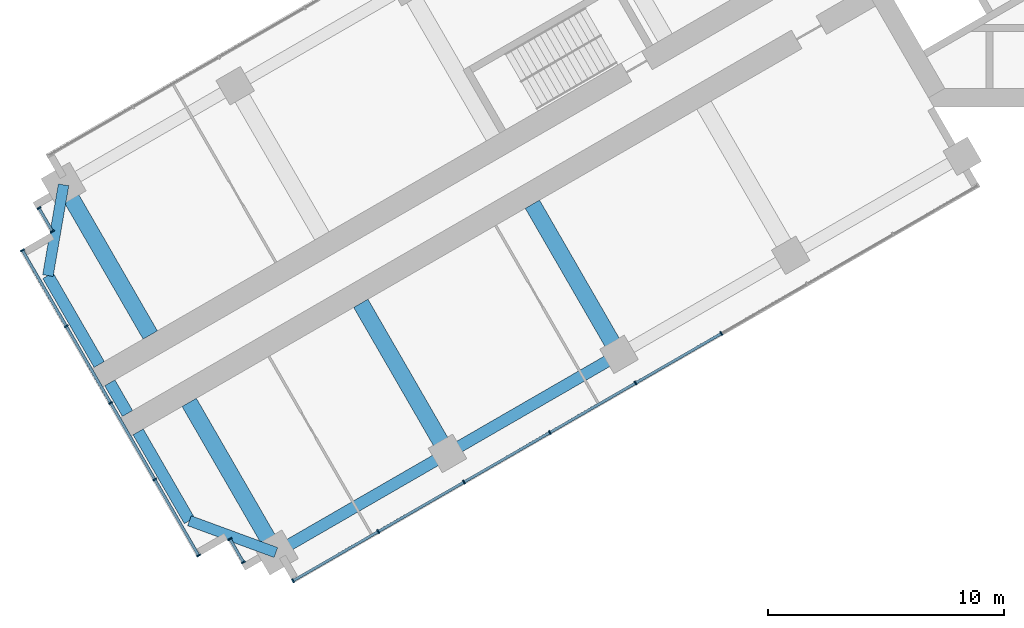
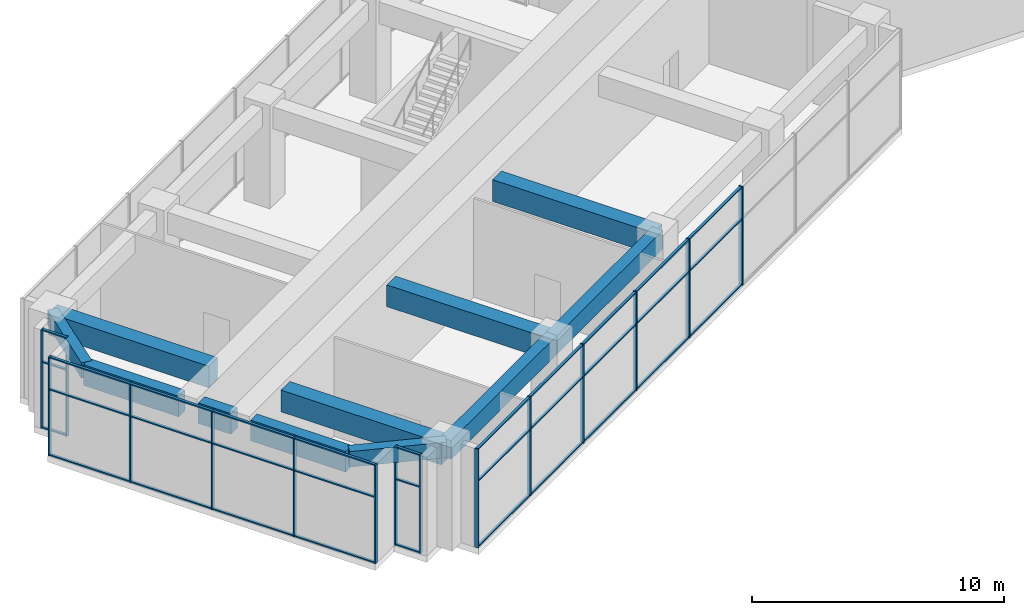
# One storey, part 2 of 20: 48 members, 11 beams, 4 elements without a shape of their own.
"""IFC4 building model written with IfcOpenShell, lengths in metres."""

from ifc_helpers import new_model, si_unit, direction, frame, origin, origin_2d, place, context, subcontext, project, spatial, rectangle, extrude, material, material_profile, profile_set, type_object, element, aggregate, save


model = new_model("IFC4")

# Units and contexts
model_context = context("Model", 3, precision=1e-05, world=origin(), true_north=direction((0.0, 1.0)))
body_context = subcontext(model_context, "Body", "Model", "MODEL_VIEW")
ifc_project = project(units=[si_unit("LENGTHUNIT", "METRE"), si_unit("AREAUNIT", "SQUARE_METRE"), si_unit("VOLUMEUNIT", "CUBIC_METRE"), si_unit("PLANEANGLEUNIT", "RADIAN"), si_unit("MASSUNIT", "GRAM", prefix="KILO")], contexts=[model_context])

# Site, building, storey
site_placement = place(None, origin())
site = spatial("IfcSite", under=ifc_project, at=site_placement, CompositionType="ELEMENT")
building_placement = place(site_placement, origin())
building = spatial("IfcBuilding", under=site, at=building_placement, Name="Impinga Residences", CompositionType="ELEMENT")
storey_placement = place(building_placement, frame((0.0, 0.0, 101.0)))
storey = spatial("IfcBuildingStorey", under=building, at=storey_placement, Name="L24", CompositionType="ELEMENT", Elevation=101.0)

# Beams
ifc_material_1 = material(Name="Concrete C60/75", Category="concrete")
ifc_material_profile_1 = material_profile(ifc_material_1, rectangle(XDim=0.449951171875, YDim=0.75, at=origin_2d()), Name="RC 450x750")
ifc_profile_set_1 = profile_set([ifc_material_profile_1], Name="Concrete C60/75")
beam_type_1 = type_object("IfcBeamType", Name="CB1 450x750 wing end cantilever beam", PredefinedType="BEAM", material=ifc_profile_set_1)
beam_1_placement = place(storey_placement, frame((-34.49853515625, -30.31005859375, 4.405029296875), z_axis=(-0.938520178725, 0.345224382289, 0.0), x_axis=(-0.345224382289, -0.938520178725, 0.0)))
element("IfcBeam", 1, at=beam_1_placement, inside=storey, type_object=beam_type_1, Name="Beam CB1 WB W5-WX level L25", PredefinedType="BEAM", context=body_context, shape_type="SweptSolid", body=[
    extrude(rectangle(XDim=0.449951171875, YDim=0.75, at=origin_2d()), origin(), (0.0, 0.0, 1.0), 3.905029296875),
])
beam_2_placement = place(storey_placement, frame((-43.49853515625, -14.721435546875, 4.405029296875), z_axis=(-0.170296298948, -0.985392901621, 0.0), x_axis=(0.985392901621, -0.170296298948, 0.0)))
element("IfcBeam", 2, at=beam_2_placement, inside=storey, type_object=beam_type_1, Name="Beam CB1 WE W5-WX level L25", PredefinedType="BEAM", context=body_context, shape_type="SweptSolid", body=[
    extrude(rectangle(XDim=0.449951171875, YDim=0.75, at=origin_2d()), origin(), (0.0, 0.0, 1.0), 3.9052734375),
])
ifc_material_profile_2 = material_profile(ifc_material_1, rectangle(XDim=0.699951171875, YDim=1.050048828125, at=origin_2d()), Name="RC 700x1050")
ifc_profile_set_2 = profile_set([ifc_material_profile_2], Name="Concrete C60/75")
beam_type_2 = type_object("IfcBeamType", Name="CG1 700x1050 cross girder on a wing bay line", PredefinedType="BEAM", material=ifc_profile_set_2)
for number, where, z_axis, x_axis, name in (
    (3, (-23.624267578125, -15.544677734375, 4.2548828125), (0.500008066151, -0.86602074674, 0.0), (0.86602074674, 0.500008066151, 0.0), "Beam CG1 W3 WC/WA level L25"),
    (4, (-30.89892578125, -19.74462890625, 4.2548828125), (0.499993683172, -0.866029050776, 0.0), (0.866029050776, 0.499993683172, 0.0), "Beam CG1 W4 WC/WA level L25"),
):
    element("IfcBeam", number, at=place(storey_placement, frame(where, z_axis=z_axis, x_axis=x_axis)), inside=storey, type_object=beam_type_2, Name=name, PredefinedType="BEAM", context=body_context, shape_type="SweptSolid", body=[
        extrude(rectangle(XDim=0.699951171875, YDim=1.050048828125, at=origin_2d()), origin(), (0.0, 0.0, 1.0), 7.35009765625),
    ])
beam_3_placement = place(storey_placement, frame((-38.17333984375, -23.94482421875, 4.2548828125), z_axis=(0.499983153418, -0.866035129944, 0.0), x_axis=(0.866035129944, 0.499983153418, 0.0)))
element("IfcBeam", 5, at=beam_3_placement, inside=storey, type_object=beam_type_2, Name="Beam CG1 W5 WC/WA level L25", PredefinedType="BEAM", context=body_context, shape_type="SweptSolid", body=[
    extrude(rectangle(XDim=0.699951171875, YDim=1.050048828125, at=origin_2d()), origin(), (0.0, 0.0, 1.0), 7.349853515625),
])
beam_4_placement = place(storey_placement, frame((-39.823486328125, -21.0869140625, 4.2548828125), z_axis=(-0.499993683172, 0.866029050776, 0.0), x_axis=(-0.866029050776, -0.499993683172, 0.0)))
element("IfcBeam", 6, at=beam_4_placement, inside=storey, type_object=beam_type_2, Name="Beam CG1 W5 WC/WF level L25", PredefinedType="BEAM", context=body_context, shape_type="SweptSolid", body=[
    extrude(rectangle(XDim=0.699951171875, YDim=1.050048828125, at=origin_2d()), origin(), (0.0, 0.0, 1.0), 7.35009765625),
])

# Curtain wall, members
ifc_material_2 = material(Name="Aluminium stick curtain wall", Category="aluminium")
curtain_wall_type = type_object("IfcCurtainWallType", Name="CW2 sky amenity curtain wall", PredefinedType="USERDEFINED", material=ifc_material_2)
curtain_wall_1_placement = place(storey_placement, origin())
curtain_wall_1 = element("IfcCurtainWall", 7, at=curtain_wall_1_placement, inside=storey, type_object=curtain_wall_type, Name="Curtain wall CW2 L24", ObjectType="STICK CURTAIN WALL", PredefinedType="USERDEFINED")
ifc_material_3 = material(Name="Aluminium mullion", Category="aluminium")
ifc_material_profile_3 = material_profile(ifc_material_3, rectangle(XDim=0.06005859375, YDim=0.179931640625, at=origin_2d()), Name="60x180 mullion")
ifc_profile_set_3 = profile_set([ifc_material_profile_3], Name="Aluminium mullion")
member_type_1 = type_object("IfcMemberType", Name="CW2-M mullion 60x180", PredefinedType="MULLION", material=ifc_profile_set_3)
member_1_placement = place(storey_placement, frame((-35.8759765625, -30.72412109375, 0.0), z_axis=(0.0, 0.0, 1.0), x_axis=(-0.499999813995, 0.866025511175, 0.0)))
member_1 = element("IfcMember", 8, at=member_1_placement, type_object=member_type_1, Name="CW2 mullion 1", PredefinedType="MULLION", context=body_context, shape_type="SweptSolid", body=[
    extrude(rectangle(XDim=0.06005859375, YDim=0.179931640625, at=origin_2d()), origin(), (0.0, 0.0, 1.0), 4.780029296875),
])
member_2_placement = place(storey_placement, frame((-36.44580078125, -29.737060546875, 0.0), z_axis=(0.0, 0.0, 1.0), x_axis=(-0.499999813995, 0.866025511175, 0.0)))
member_2 = element("IfcMember", 9, at=member_2_placement, type_object=member_type_1, Name="CW2 mullion 2", PredefinedType="MULLION", context=body_context, shape_type="SweptSolid", body=[
    extrude(rectangle(XDim=0.06005859375, YDim=0.179931640625, at=origin_2d()), origin(), (0.0, 0.0, 1.0), 4.780029296875),
])

curtain_wall_2_placement = place(storey_placement, origin())
curtain_wall_2 = element("IfcCurtainWall", 10, at=curtain_wall_2_placement, inside=storey, type_object=curtain_wall_type, Name="Curtain wall CW2 L24", ObjectType="STICK CURTAIN WALL", PredefinedType="USERDEFINED")
member_3_placement = place(storey_placement, frame((-37.77490234375, -30.43505859375, 0.0), z_axis=(0.0, 0.0, 1.0), x_axis=(-0.500000001632, 0.866025402842, 0.0)))
member_3 = element("IfcMember", 11, at=member_3_placement, type_object=member_type_1, Name="CW2 mullion 1", PredefinedType="MULLION", context=body_context, shape_type="SweptSolid", body=[
    extrude(rectangle(XDim=0.06005859375, YDim=0.179931640625, at=origin_2d()), origin(), (0.0, 0.0, 1.0), 4.780029296875),
])
member_4_placement = place(storey_placement, frame((-39.635009765625, -27.21337890625, 0.0), z_axis=(0.0, 0.0, 1.0), x_axis=(-0.500000001632, 0.866025402842, 0.0)))
member_4 = element("IfcMember", 12, at=member_4_placement, type_object=member_type_1, Name="CW2 mullion 2", PredefinedType="MULLION", context=body_context, shape_type="SweptSolid", body=[
    extrude(rectangle(XDim=0.06005859375, YDim=0.179931640625, at=origin_2d()), origin(), (0.0, 0.0, 1.0), 4.780029296875),
])
member_5_placement = place(storey_placement, frame((-41.510009765625, -23.9658203125, 0.0), z_axis=(0.0, 0.0, 1.0), x_axis=(-0.500000001632, 0.866025402842, 0.0)))
member_5 = element("IfcMember", 13, at=member_5_placement, type_object=member_type_1, Name="CW2 mullion 3", PredefinedType="MULLION", context=body_context, shape_type="SweptSolid", body=[
    extrude(rectangle(XDim=0.06005859375, YDim=0.179931640625, at=origin_2d()), origin(), (0.0, 0.0, 1.0), 4.780029296875),
])
member_6_placement = place(storey_placement, frame((-43.385009765625, -20.71826171875, 0.0), z_axis=(0.0, 0.0, 1.0), x_axis=(-0.500000001632, 0.866025402842, 0.0)))
member_6 = element("IfcMember", 14, at=member_6_placement, type_object=member_type_1, Name="CW2 mullion 4", PredefinedType="MULLION", context=body_context, shape_type="SweptSolid", body=[
    extrude(rectangle(XDim=0.06005859375, YDim=0.179931640625, at=origin_2d()), origin(), (0.0, 0.0, 1.0), 4.780029296875),
])
member_7_placement = place(storey_placement, frame((-45.244873046875, -17.49658203125, 0.0), z_axis=(0.0, 0.0, 1.0), x_axis=(-0.500000001632, 0.866025402842, 0.0)))
member_7 = element("IfcMember", 15, at=member_7_placement, type_object=member_type_1, Name="CW2 mullion 5", PredefinedType="MULLION", context=body_context, shape_type="SweptSolid", body=[
    extrude(rectangle(XDim=0.06005859375, YDim=0.179931640625, at=origin_2d()), origin(), (0.0, 0.0, 1.0), 4.780029296875),
])

curtain_wall_3_placement = place(storey_placement, origin())
curtain_wall_3 = element("IfcCurtainWall", 16, at=curtain_wall_3_placement, inside=storey, type_object=curtain_wall_type, Name="Curtain wall CW2 L24", ObjectType="STICK CURTAIN WALL", PredefinedType="USERDEFINED")
member_8_placement = place(storey_placement, frame((-43.975830078125, -16.694580078125, 0.0), z_axis=(0.0, 0.0, 1.0), x_axis=(-0.50000017485, 0.866025302835, 0.0)))
member_8 = element("IfcMember", 17, at=member_8_placement, type_object=member_type_1, Name="CW2 mullion 1", PredefinedType="MULLION", context=body_context, shape_type="SweptSolid", body=[
    extrude(rectangle(XDim=0.06005859375, YDim=0.179931640625, at=origin_2d()), origin(), (0.0, 0.0, 1.0), 4.780029296875),
])
member_9_placement = place(storey_placement, frame((-44.5458984375, -15.707275390625, 0.0), z_axis=(0.0, 0.0, 1.0), x_axis=(-0.50000017485, 0.866025302835, 0.0)))
member_9 = element("IfcMember", 18, at=member_9_placement, type_object=member_type_1, Name="CW2 mullion 2", PredefinedType="MULLION", context=body_context, shape_type="SweptSolid", body=[
    extrude(rectangle(XDim=0.06005859375, YDim=0.179931640625, at=origin_2d()), origin(), (0.0, 0.0, 1.0), 4.780029296875),
])

curtain_wall_4_placement = place(storey_placement, origin())
curtain_wall_4 = element("IfcCurtainWall", 19, at=curtain_wall_4_placement, inside=storey, type_object=curtain_wall_type, Name="Curtain wall CW2 L24", ObjectType="STICK CURTAIN WALL", PredefinedType="USERDEFINED")
member_10_placement = place(storey_placement, frame((-15.61181640625, -21.0224609375, 0.0), z_axis=(0.0, 0.0, 1.0), x_axis=(-0.866025407005, -0.499999994423, 0.0)))
member_10 = element("IfcMember", 20, at=member_10_placement, type_object=member_type_1, Name="CW2 mullion 4", PredefinedType="MULLION", context=body_context, shape_type="SweptSolid", body=[
    extrude(rectangle(XDim=0.06005859375, YDim=0.179931640625, at=origin_2d()), origin(), (0.0, 0.0, 1.0), 4.780029296875),
])
member_11_placement = place(storey_placement, frame((-19.249267578125, -23.122314453125, 0.0), z_axis=(0.0, 0.0, 1.0), x_axis=(-0.866025407005, -0.499999994423, 0.0)))
member_11 = element("IfcMember", 21, at=member_11_placement, type_object=member_type_1, Name="CW2 mullion 5", PredefinedType="MULLION", context=body_context, shape_type="SweptSolid", body=[
    extrude(rectangle(XDim=0.06005859375, YDim=0.179931640625, at=origin_2d()), origin(), (0.0, 0.0, 1.0), 4.780029296875),
])
member_12_placement = place(storey_placement, frame((-22.886474609375, -25.222412109375, 0.0), z_axis=(0.0, 0.0, 1.0), x_axis=(-0.866025407005, -0.499999994423, 0.0)))
member_12 = element("IfcMember", 22, at=member_12_placement, type_object=member_type_1, Name="CW2 mullion 6", PredefinedType="MULLION", context=body_context, shape_type="SweptSolid", body=[
    extrude(rectangle(XDim=0.06005859375, YDim=0.179931640625, at=origin_2d()), origin(), (0.0, 0.0, 1.0), 4.780029296875),
])
member_13_placement = place(storey_placement, frame((-26.52392578125, -27.322509765625, 0.0), z_axis=(0.0, 0.0, 1.0), x_axis=(-0.866025407005, -0.499999994423, 0.0)))
member_13 = element("IfcMember", 23, at=member_13_placement, type_object=member_type_1, Name="CW2 mullion 7", PredefinedType="MULLION", context=body_context, shape_type="SweptSolid", body=[
    extrude(rectangle(XDim=0.06005859375, YDim=0.179931640625, at=origin_2d()), origin(), (0.0, 0.0, 1.0), 4.780029296875),
])
member_14_placement = place(storey_placement, frame((-30.1611328125, -29.42236328125, 0.0), z_axis=(0.0, 0.0, 1.0), x_axis=(-0.866025407005, -0.499999994423, 0.0)))
member_14 = element("IfcMember", 24, at=member_14_placement, type_object=member_type_1, Name="CW2 mullion 8", PredefinedType="MULLION", context=body_context, shape_type="SweptSolid", body=[
    extrude(rectangle(XDim=0.06005859375, YDim=0.179931640625, at=origin_2d()), origin(), (0.0, 0.0, 1.0), 4.780029296875),
])
member_15_placement = place(storey_placement, frame((-33.7724609375, -31.50732421875, 0.0), z_axis=(0.0, 0.0, 1.0), x_axis=(-0.866025407005, -0.499999994423, 0.0)))
member_15 = element("IfcMember", 25, at=member_15_placement, type_object=member_type_1, Name="CW2 mullion 9", PredefinedType="MULLION", context=body_context, shape_type="SweptSolid", body=[
    extrude(rectangle(XDim=0.06005859375, YDim=0.179931640625, at=origin_2d()), origin(), (0.0, 0.0, 1.0), 4.780029296875),
])

# Member
ifc_material_4 = material(Name="Aluminium transom", Category="aluminium")
ifc_material_profile_4 = material_profile(ifc_material_4, rectangle(XDim=0.06005859375, YDim=0.1201171875, at=origin_2d()), Name="60x120 transom")
ifc_profile_set_4 = profile_set([ifc_material_profile_4], Name="Aluminium transom")
member_type_2 = type_object("IfcMemberType", Name="CW2-T transom 60x120", PredefinedType="USERDEFINED", material=ifc_profile_set_4)
member_16_placement = place(storey_placement, frame((-35.890869140625, -30.6982421875, 0.030029296875), z_axis=(-0.500029011134, 0.866008653551, 0.0), x_axis=(0.0, 0.0, 1.0)))
member_16 = element("IfcMember", 26, at=member_16_placement, type_object=member_type_2, Name="CW2 transom 1.1", ObjectType="TRANSOM", PredefinedType="USERDEFINED", context=body_context, shape_type="SweptSolid", body=[
    extrude(rectangle(XDim=0.06005859375, YDim=0.1201171875, at=origin_2d()), origin(), (0.0, 0.0, 1.0), 1.080078125),
])

member_17_placement = place(storey_placement, frame((-35.890869140625, -30.6982421875, 3.199951171875), z_axis=(-0.500029011134, 0.866008653551, 0.0), x_axis=(0.0, 0.0, 1.0)))
member_17 = element("IfcMember", 27, at=member_17_placement, type_object=member_type_2, Name="CW2 transom 1.2", ObjectType="TRANSOM", PredefinedType="USERDEFINED", context=body_context, shape_type="SweptSolid", body=[
    extrude(rectangle(XDim=0.06005859375, YDim=0.1201171875, at=origin_2d()), origin(), (0.0, 0.0, 1.0), 1.080078125),
])

member_18_placement = place(storey_placement, frame((-35.890869140625, -30.6982421875, 4.75), z_axis=(-0.500029011134, 0.866008653551, 0.0), x_axis=(0.0, 0.0, 1.0)))
member_18 = element("IfcMember", 28, at=member_18_placement, type_object=member_type_2, Name="CW2 transom 1.3", ObjectType="TRANSOM", PredefinedType="USERDEFINED", context=body_context, shape_type="SweptSolid", body=[
    extrude(rectangle(XDim=0.06005859375, YDim=0.1201171875, at=origin_2d()), origin(), (0.0, 0.0, 1.0), 1.080078125),
])

aggregate(curtain_wall_1, [member_1, member_2, member_16, member_17, member_18])

member_19_placement = place(storey_placement, frame((-37.7900390625, -30.408935546875, 0.030029296875), z_axis=(-0.499963050397, 0.866046735597, 0.0), x_axis=(0.0, 0.0, 1.0)))
member_19 = element("IfcMember", 29, at=member_19_placement, type_object=member_type_2, Name="CW2 transom 1.1", ObjectType="TRANSOM", PredefinedType="USERDEFINED", context=body_context, shape_type="SweptSolid", body=[
    extrude(rectangle(XDim=0.06005859375, YDim=0.1201171875, at=origin_2d()), origin(), (0.0, 0.0, 1.0), 3.659912109375),
])

member_20_placement = place(storey_placement, frame((-37.7900390625, -30.408935546875, 3.199951171875), z_axis=(-0.499963050397, 0.866046735597, 0.0), x_axis=(0.0, 0.0, 1.0)))
member_20 = element("IfcMember", 30, at=member_20_placement, type_object=member_type_2, Name="CW2 transom 1.2", ObjectType="TRANSOM", PredefinedType="USERDEFINED", context=body_context, shape_type="SweptSolid", body=[
    extrude(rectangle(XDim=0.06005859375, YDim=0.1201171875, at=origin_2d()), origin(), (0.0, 0.0, 1.0), 3.659912109375),
])

member_21_placement = place(storey_placement, frame((-37.7900390625, -30.408935546875, 4.75), z_axis=(-0.499963050397, 0.866046735597, 0.0), x_axis=(0.0, 0.0, 1.0)))
member_21 = element("IfcMember", 31, at=member_21_placement, type_object=member_type_2, Name="CW2 transom 1.3", ObjectType="TRANSOM", PredefinedType="USERDEFINED", context=body_context, shape_type="SweptSolid", body=[
    extrude(rectangle(XDim=0.06005859375, YDim=0.1201171875, at=origin_2d()), origin(), (0.0, 0.0, 1.0), 3.659912109375),
])

member_22_placement = place(storey_placement, frame((-39.64990234375, -27.1875, 0.030029296875), z_axis=(-0.499974444137, 0.866040157966, 0.0), x_axis=(0.0, 0.0, 1.0)))
member_22 = element("IfcMember", 32, at=member_22_placement, type_object=member_type_2, Name="CW2 transom 2.1", ObjectType="TRANSOM", PredefinedType="USERDEFINED", context=body_context, shape_type="SweptSolid", body=[
    extrude(rectangle(XDim=0.06005859375, YDim=0.1201171875, at=origin_2d()), origin(), (0.0, 0.0, 1.0), 3.690185546875),
])

member_23_placement = place(storey_placement, frame((-39.64990234375, -27.1875, 3.199951171875), z_axis=(-0.499974444137, 0.866040157966, 0.0), x_axis=(0.0, 0.0, 1.0)))
member_23 = element("IfcMember", 33, at=member_23_placement, type_object=member_type_2, Name="CW2 transom 2.2", ObjectType="TRANSOM", PredefinedType="USERDEFINED", context=body_context, shape_type="SweptSolid", body=[
    extrude(rectangle(XDim=0.06005859375, YDim=0.1201171875, at=origin_2d()), origin(), (0.0, 0.0, 1.0), 3.690185546875),
])

member_24_placement = place(storey_placement, frame((-39.64990234375, -27.1875, 4.75), z_axis=(-0.499974444137, 0.866040157966, 0.0), x_axis=(0.0, 0.0, 1.0)))
member_24 = element("IfcMember", 34, at=member_24_placement, type_object=member_type_2, Name="CW2 transom 2.3", ObjectType="TRANSOM", PredefinedType="USERDEFINED", context=body_context, shape_type="SweptSolid", body=[
    extrude(rectangle(XDim=0.06005859375, YDim=0.1201171875, at=origin_2d()), origin(), (0.0, 0.0, 1.0), 3.690185546875),
])

member_25_placement = place(storey_placement, frame((-41.52490234375, -23.939697265625, 0.030029296875), z_axis=(-0.500003092839, 0.866023618125, 0.0), x_axis=(0.0, 0.0, 1.0)))
member_25 = element("IfcMember", 35, at=member_25_placement, type_object=member_type_2, Name="CW2 transom 3.1", ObjectType="TRANSOM", PredefinedType="USERDEFINED", context=body_context, shape_type="SweptSolid", body=[
    extrude(rectangle(XDim=0.06005859375, YDim=0.1201171875, at=origin_2d()), origin(), (0.0, 0.0, 1.0), 3.68994140625),
])

member_26_placement = place(storey_placement, frame((-41.52490234375, -23.939697265625, 3.199951171875), z_axis=(-0.500003092839, 0.866023618125, 0.0), x_axis=(0.0, 0.0, 1.0)))
member_26 = element("IfcMember", 36, at=member_26_placement, type_object=member_type_2, Name="CW2 transom 3.2", ObjectType="TRANSOM", PredefinedType="USERDEFINED", context=body_context, shape_type="SweptSolid", body=[
    extrude(rectangle(XDim=0.06005859375, YDim=0.1201171875, at=origin_2d()), origin(), (0.0, 0.0, 1.0), 3.68994140625),
])

member_27_placement = place(storey_placement, frame((-41.52490234375, -23.939697265625, 4.75), z_axis=(-0.500003092839, 0.866023618125, 0.0), x_axis=(0.0, 0.0, 1.0)))
member_27 = element("IfcMember", 37, at=member_27_placement, type_object=member_type_2, Name="CW2 transom 3.3", ObjectType="TRANSOM", PredefinedType="USERDEFINED", context=body_context, shape_type="SweptSolid", body=[
    extrude(rectangle(XDim=0.06005859375, YDim=0.1201171875, at=origin_2d()), origin(), (0.0, 0.0, 1.0), 3.68994140625),
])

member_28_placement = place(storey_placement, frame((-43.39990234375, -20.692138671875, 0.030029296875), z_axis=(-0.500013080017, 0.866017851902, 0.0), x_axis=(0.0, 0.0, 1.0)))
member_28 = element("IfcMember", 38, at=member_28_placement, type_object=member_type_2, Name="CW2 transom 4.1", ObjectType="TRANSOM", PredefinedType="USERDEFINED", context=body_context, shape_type="SweptSolid", body=[
    extrude(rectangle(XDim=0.06005859375, YDim=0.1201171875, at=origin_2d()), origin(), (0.0, 0.0, 1.0), 3.66015625),
])

member_29_placement = place(storey_placement, frame((-43.39990234375, -20.692138671875, 3.199951171875), z_axis=(-0.500013080017, 0.866017851902, 0.0), x_axis=(0.0, 0.0, 1.0)))
member_29 = element("IfcMember", 39, at=member_29_placement, type_object=member_type_2, Name="CW2 transom 4.2", ObjectType="TRANSOM", PredefinedType="USERDEFINED", context=body_context, shape_type="SweptSolid", body=[
    extrude(rectangle(XDim=0.06005859375, YDim=0.1201171875, at=origin_2d()), origin(), (0.0, 0.0, 1.0), 3.66015625),
])

member_30_placement = place(storey_placement, frame((-43.39990234375, -20.692138671875, 4.75), z_axis=(-0.500013080017, 0.866017851902, 0.0), x_axis=(0.0, 0.0, 1.0)))
member_30 = element("IfcMember", 40, at=member_30_placement, type_object=member_type_2, Name="CW2 transom 4.3", ObjectType="TRANSOM", PredefinedType="USERDEFINED", context=body_context, shape_type="SweptSolid", body=[
    extrude(rectangle(XDim=0.06005859375, YDim=0.1201171875, at=origin_2d()), origin(), (0.0, 0.0, 1.0), 3.66015625),
])

aggregate(curtain_wall_2, [member_3, member_4, member_5, member_6, member_7, member_19, member_20, member_21, member_22, member_23, member_24, member_25, member_26, member_27, member_28, member_29, member_30])

member_31_placement = place(storey_placement, frame((-43.990966796875, -16.668701171875, 0.030029296875), z_axis=(-0.500029011134, 0.866008653551, 0.0), x_axis=(0.0, 0.0, 1.0)))
member_31 = element("IfcMember", 41, at=member_31_placement, type_object=member_type_2, Name="CW2 transom 1.1", ObjectType="TRANSOM", PredefinedType="USERDEFINED", context=body_context, shape_type="SweptSolid", body=[
    extrude(rectangle(XDim=0.06005859375, YDim=0.1201171875, at=origin_2d()), origin(), (0.0, 0.0, 1.0), 1.080078125),
])

member_32_placement = place(storey_placement, frame((-43.990966796875, -16.668701171875, 3.199951171875), z_axis=(-0.500029011134, 0.866008653551, 0.0), x_axis=(0.0, 0.0, 1.0)))
member_32 = element("IfcMember", 42, at=member_32_placement, type_object=member_type_2, Name="CW2 transom 1.2", ObjectType="TRANSOM", PredefinedType="USERDEFINED", context=body_context, shape_type="SweptSolid", body=[
    extrude(rectangle(XDim=0.06005859375, YDim=0.1201171875, at=origin_2d()), origin(), (0.0, 0.0, 1.0), 1.080078125),
])

member_33_placement = place(storey_placement, frame((-43.990966796875, -16.668701171875, 4.75), z_axis=(-0.500029011134, 0.866008653551, 0.0), x_axis=(0.0, 0.0, 1.0)))
member_33 = element("IfcMember", 43, at=member_33_placement, type_object=member_type_2, Name="CW2 transom 1.3", ObjectType="TRANSOM", PredefinedType="USERDEFINED", context=body_context, shape_type="SweptSolid", body=[
    extrude(rectangle(XDim=0.06005859375, YDim=0.1201171875, at=origin_2d()), origin(), (0.0, 0.0, 1.0), 1.080078125),
])

aggregate(curtain_wall_3, [member_8, member_9, member_31, member_32, member_33])

member_34_placement = place(storey_placement, frame((-15.637939453125, -21.037353515625, 0.030029296875), z_axis=(-0.866009793405, -0.500027036996, 0.0), x_axis=(0.0, 0.0, 1.0)))
member_34 = element("IfcMember", 44, at=member_34_placement, type_object=member_type_2, Name="CW2 transom 4.1", ObjectType="TRANSOM", PredefinedType="USERDEFINED", context=body_context, shape_type="SweptSolid", body=[
    extrude(rectangle(XDim=0.06005859375, YDim=0.1201171875, at=origin_2d()), origin(), (0.0, 0.0, 1.0), 4.139892578125),
])

member_35_placement = place(storey_placement, frame((-15.637939453125, -21.037353515625, 3.199951171875), z_axis=(-0.866009793405, -0.500027036996, 0.0), x_axis=(0.0, 0.0, 1.0)))
member_35 = element("IfcMember", 45, at=member_35_placement, type_object=member_type_2, Name="CW2 transom 4.2", ObjectType="TRANSOM", PredefinedType="USERDEFINED", context=body_context, shape_type="SweptSolid", body=[
    extrude(rectangle(XDim=0.06005859375, YDim=0.1201171875, at=origin_2d()), origin(), (0.0, 0.0, 1.0), 4.139892578125),
])

member_36_placement = place(storey_placement, frame((-15.637939453125, -21.037353515625, 4.75), z_axis=(-0.866009793405, -0.500027036996, 0.0), x_axis=(0.0, 0.0, 1.0)))
member_36 = element("IfcMember", 46, at=member_36_placement, type_object=member_type_2, Name="CW2 transom 4.3", ObjectType="TRANSOM", PredefinedType="USERDEFINED", context=body_context, shape_type="SweptSolid", body=[
    extrude(rectangle(XDim=0.06005859375, YDim=0.1201171875, at=origin_2d()), origin(), (0.0, 0.0, 1.0), 4.139892578125),
])

member_37_placement = place(storey_placement, frame((-19.275146484375, -23.137451171875, 0.030029296875), z_axis=(-0.866024536972, -0.500001501361, 0.0), x_axis=(0.0, 0.0, 1.0)))
member_37 = element("IfcMember", 47, at=member_37_placement, type_object=member_type_2, Name="CW2 transom 5.1", ObjectType="TRANSOM", PredefinedType="USERDEFINED", context=body_context, shape_type="SweptSolid", body=[
    extrude(rectangle(XDim=0.06005859375, YDim=0.1201171875, at=origin_2d()), origin(), (0.0, 0.0, 1.0), 4.14013671875),
])

member_38_placement = place(storey_placement, frame((-19.275146484375, -23.137451171875, 3.199951171875), z_axis=(-0.866024536972, -0.500001501361, 0.0), x_axis=(0.0, 0.0, 1.0)))
member_38 = element("IfcMember", 48, at=member_38_placement, type_object=member_type_2, Name="CW2 transom 5.2", ObjectType="TRANSOM", PredefinedType="USERDEFINED", context=body_context, shape_type="SweptSolid", body=[
    extrude(rectangle(XDim=0.06005859375, YDim=0.1201171875, at=origin_2d()), origin(), (0.0, 0.0, 1.0), 4.14013671875),
])

member_39_placement = place(storey_placement, frame((-19.275146484375, -23.137451171875, 4.75), z_axis=(-0.866024536972, -0.500001501361, 0.0), x_axis=(0.0, 0.0, 1.0)))
member_39 = element("IfcMember", 49, at=member_39_placement, type_object=member_type_2, Name="CW2 transom 5.3", ObjectType="TRANSOM", PredefinedType="USERDEFINED", context=body_context, shape_type="SweptSolid", body=[
    extrude(rectangle(XDim=0.06005859375, YDim=0.1201171875, at=origin_2d()), origin(), (0.0, 0.0, 1.0), 4.14013671875),
])

member_40_placement = place(storey_placement, frame((-22.91259765625, -25.237548828125, 0.030029296875), z_axis=(-0.86603532975, -0.499982807329, 0.0), x_axis=(0.0, 0.0, 1.0)))
member_40 = element("IfcMember", 50, at=member_40_placement, type_object=member_type_2, Name="CW2 transom 6.1", ObjectType="TRANSOM", PredefinedType="USERDEFINED", context=body_context, shape_type="SweptSolid", body=[
    extrude(rectangle(XDim=0.06005859375, YDim=0.1201171875, at=origin_2d()), origin(), (0.0, 0.0, 1.0), 4.139892578125),
])

member_41_placement = place(storey_placement, frame((-22.91259765625, -25.237548828125, 3.199951171875), z_axis=(-0.86603532975, -0.499982807329, 0.0), x_axis=(0.0, 0.0, 1.0)))
member_41 = element("IfcMember", 51, at=member_41_placement, type_object=member_type_2, Name="CW2 transom 6.2", ObjectType="TRANSOM", PredefinedType="USERDEFINED", context=body_context, shape_type="SweptSolid", body=[
    extrude(rectangle(XDim=0.06005859375, YDim=0.1201171875, at=origin_2d()), origin(), (0.0, 0.0, 1.0), 4.139892578125),
])

member_42_placement = place(storey_placement, frame((-22.91259765625, -25.237548828125, 4.75), z_axis=(-0.86603532975, -0.499982807329, 0.0), x_axis=(0.0, 0.0, 1.0)))
member_42 = element("IfcMember", 52, at=member_42_placement, type_object=member_type_2, Name="CW2 transom 6.3", ObjectType="TRANSOM", PredefinedType="USERDEFINED", context=body_context, shape_type="SweptSolid", body=[
    extrude(rectangle(XDim=0.06005859375, YDim=0.1201171875, at=origin_2d()), origin(), (0.0, 0.0, 1.0), 4.139892578125),
])

member_43_placement = place(storey_placement, frame((-26.5498046875, -27.33740234375, 0.030029296875), z_axis=(-0.866024536972, -0.500001501361, 0.0), x_axis=(0.0, 0.0, 1.0)))
member_43 = element("IfcMember", 53, at=member_43_placement, type_object=member_type_2, Name="CW2 transom 7.1", ObjectType="TRANSOM", PredefinedType="USERDEFINED", context=body_context, shape_type="SweptSolid", body=[
    extrude(rectangle(XDim=0.06005859375, YDim=0.1201171875, at=origin_2d()), origin(), (0.0, 0.0, 1.0), 4.14013671875),
])

member_44_placement = place(storey_placement, frame((-26.5498046875, -27.33740234375, 3.199951171875), z_axis=(-0.866024536972, -0.500001501361, 0.0), x_axis=(0.0, 0.0, 1.0)))
member_44 = element("IfcMember", 54, at=member_44_placement, type_object=member_type_2, Name="CW2 transom 7.2", ObjectType="TRANSOM", PredefinedType="USERDEFINED", context=body_context, shape_type="SweptSolid", body=[
    extrude(rectangle(XDim=0.06005859375, YDim=0.1201171875, at=origin_2d()), origin(), (0.0, 0.0, 1.0), 4.14013671875),
])

member_45_placement = place(storey_placement, frame((-26.5498046875, -27.33740234375, 4.75), z_axis=(-0.866024536972, -0.500001501361, 0.0), x_axis=(0.0, 0.0, 1.0)))
member_45 = element("IfcMember", 55, at=member_45_placement, type_object=member_type_2, Name="CW2 transom 7.3", ObjectType="TRANSOM", PredefinedType="USERDEFINED", context=body_context, shape_type="SweptSolid", body=[
    extrude(rectangle(XDim=0.06005859375, YDim=0.1201171875, at=origin_2d()), origin(), (0.0, 0.0, 1.0), 4.14013671875),
])

member_46_placement = place(storey_placement, frame((-30.18701171875, -29.4375, 0.030029296875), z_axis=(-0.866045128991, -0.499965833383, 0.0), x_axis=(0.0, 0.0, 1.0)))
member_46 = element("IfcMember", 56, at=member_46_placement, type_object=member_type_2, Name="CW2 transom 8.1", ObjectType="TRANSOM", PredefinedType="USERDEFINED", context=body_context, shape_type="SweptSolid", body=[
    extrude(rectangle(XDim=0.06005859375, YDim=0.1201171875, at=origin_2d()), origin(), (0.0, 0.0, 1.0), 4.110107421875),
])

member_47_placement = place(storey_placement, frame((-30.18701171875, -29.4375, 3.199951171875), z_axis=(-0.866045128991, -0.499965833383, 0.0), x_axis=(0.0, 0.0, 1.0)))
member_47 = element("IfcMember", 57, at=member_47_placement, type_object=member_type_2, Name="CW2 transom 8.2", ObjectType="TRANSOM", PredefinedType="USERDEFINED", context=body_context, shape_type="SweptSolid", body=[
    extrude(rectangle(XDim=0.06005859375, YDim=0.1201171875, at=origin_2d()), origin(), (0.0, 0.0, 1.0), 4.110107421875),
])

member_48_placement = place(storey_placement, frame((-30.18701171875, -29.4375, 4.75), z_axis=(-0.866045128991, -0.499965833383, 0.0), x_axis=(0.0, 0.0, 1.0)))
member_48 = element("IfcMember", 58, at=member_48_placement, type_object=member_type_2, Name="CW2 transom 8.3", ObjectType="TRANSOM", PredefinedType="USERDEFINED", context=body_context, shape_type="SweptSolid", body=[
    extrude(rectangle(XDim=0.06005859375, YDim=0.1201171875, at=origin_2d()), origin(), (0.0, 0.0, 1.0), 4.110107421875),
])

aggregate(curtain_wall_4, [member_10, member_11, member_12, member_13, member_14, member_15, member_34, member_35, member_36, member_37, member_38, member_39, member_40, member_41, member_42, member_43, member_44, member_45, member_46, member_47, member_48])

# Beams
ifc_material_profile_5 = material_profile(ifc_material_1, rectangle(XDim=0.5, YDim=1.0, at=origin_2d()), Name="RC 500x1000")
ifc_profile_set_5 = profile_set([ifc_material_profile_5], Name="Concrete C60/75")
beam_type_3 = type_object("IfcBeamType", Name="EB1 500x1000 wing end beam", PredefinedType="BEAM", material=ifc_profile_set_5)
beam_5_placement = place(storey_placement, frame((-38.16357421875, -28.9619140625, 4.280029296875), z_axis=(-0.500020430026, 0.866013608182, 0.0), x_axis=(-0.866013608182, -0.500020430026, 0.0)))
element("IfcBeam", 59, at=beam_5_placement, inside=storey, type_object=beam_type_3, Name="Beam EB1 WX4 level L25", PredefinedType="BEAM", context=body_context, shape_type="SweptSolid", body=[
    extrude(rectangle(XDim=0.5, YDim=1.0, at=origin_2d()), origin(), (0.0, 0.0, 1.0), 4.349853515625),
])
beam_6_placement = place(storey_placement, frame((-40.78857421875, -24.415283203125, 4.280029296875), z_axis=(-0.499990139034, 0.866031096941, 0.0), x_axis=(-0.866031096941, -0.499990139034, 0.0)))
element("IfcBeam", 60, at=beam_6_placement, inside=storey, type_object=beam_type_3, Name="Beam EB1 WX4 level L25", PredefinedType="BEAM", context=body_context, shape_type="SweptSolid", body=[
    extrude(rectangle(XDim=0.5, YDim=1.0, at=origin_2d()), origin(), (0.0, 0.0, 1.0), 1.5),
])
beam_7_placement = place(storey_placement, frame((-41.988525390625, -22.3369140625, 4.280029296875), z_axis=(-0.499996127374, 0.866027639635, 0.0), x_axis=(-0.866027639635, -0.499996127374, 0.0)))
element("IfcBeam", 61, at=beam_7_placement, inside=storey, type_object=beam_type_3, Name="Beam EB1 WX4 level L25", PredefinedType="BEAM", context=body_context, shape_type="SweptSolid", body=[
    extrude(rectangle(XDim=0.5, YDim=1.0, at=origin_2d()), origin(), (0.0, 0.0, 1.0), 4.35009765625),
])
ifc_material_profile_6 = material_profile(ifc_material_1, rectangle(XDim=0.5, YDim=0.89990234375, at=origin_2d()), Name="RC 500x900")
ifc_profile_set_6 = profile_set([ifc_material_profile_6], Name="Concrete C60/75")
beam_type_4 = type_object("IfcBeamType", Name="SB1 500x900 perimeter spandrel beam", PredefinedType="SPANDREL", material=ifc_profile_set_6)
beam_8_placement = place(storey_placement, frame((-19.94921875, -21.909912109375, 4.330078125), z_axis=(-0.866016669275, -0.500015128309, 0.0), x_axis=(0.500015128309, -0.866016669275, 0.0)))
element("IfcBeam", 62, at=beam_8_placement, inside=storey, type_object=beam_type_4, Name="Beam SB1 WA W3-W4 level L25", PredefinedType="SPANDREL", context=body_context, shape_type="SweptSolid", body=[
    extrude(rectangle(XDim=0.5, YDim=0.89990234375, at=origin_2d()), origin(), (0.0, 0.0, 1.0), 8.400146484375),
])
beam_9_placement = place(storey_placement, frame((-27.223876953125, -26.110107421875, 4.330078125), z_axis=(-0.86602925447, -0.499993330357, 0.0), x_axis=(0.499993330357, -0.86602925447, 0.0)))
element("IfcBeam", 63, at=beam_9_placement, inside=storey, type_object=beam_type_4, Name="Beam SB1 WA W4-W5 level L25", PredefinedType="SPANDREL", context=body_context, shape_type="SweptSolid", body=[
    extrude(rectangle(XDim=0.5, YDim=0.89990234375, at=origin_2d()), origin(), (0.0, 0.0, 1.0), 8.39990234375),
])

save(model, "model.ifc")
